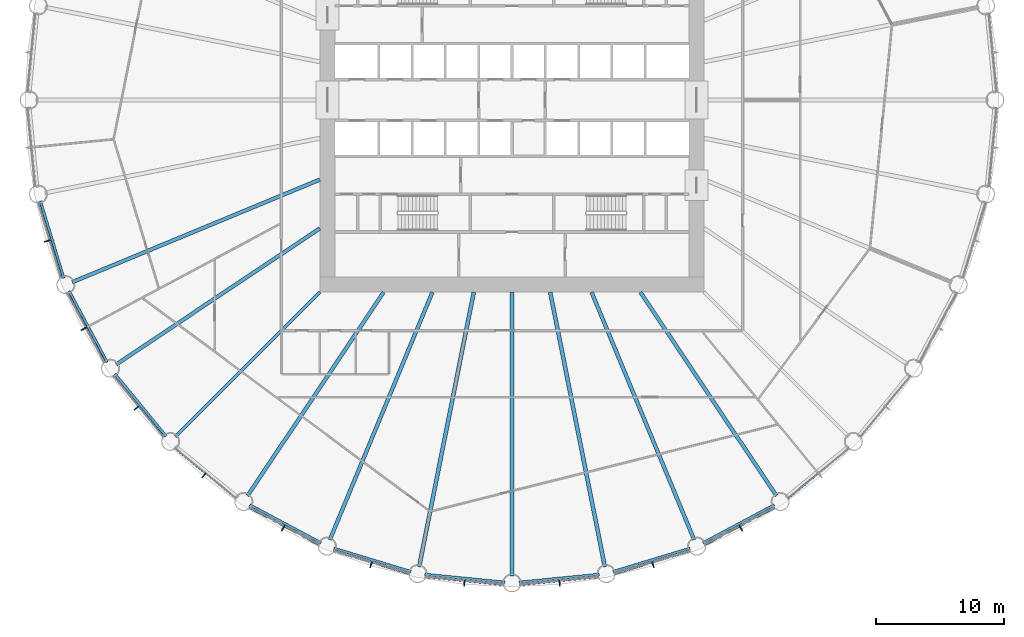
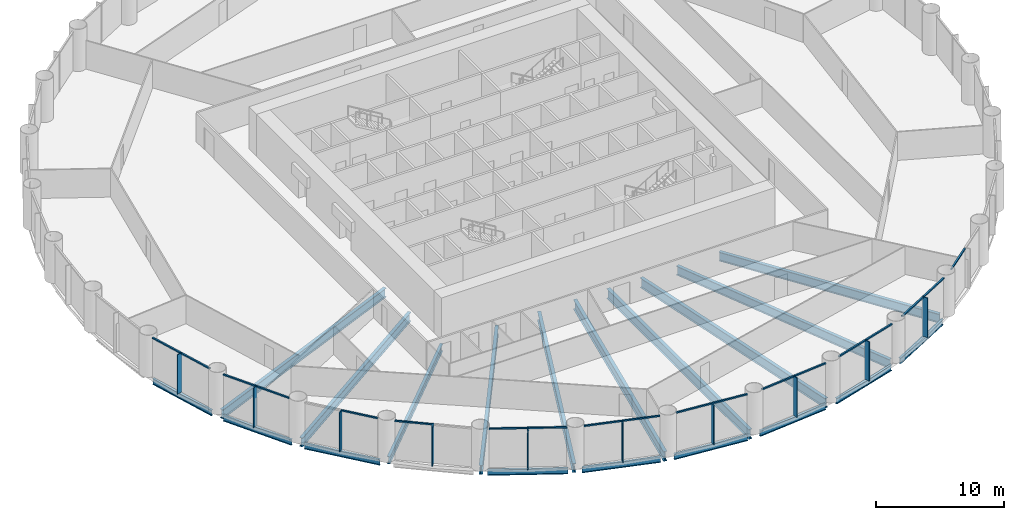
# One storey, part 2 of 15: 29 members, 19 beams, 11 elements without a shape of their own.
"""IFC4 building model written with IfcOpenShell, lengths in metres."""

import ifcopenshell
import ifcopenshell.guid

model = None  # the IFC model being written
_history = None  # IfcOwnerHistory: only IFC2X3 demands one
_inside = {}  # id of a spatial element -> (the spatial element, [elements in it])
_under = {}  # id of a project, library or spatial element -> (it, [spatial elements below it])
_declared = {}  # id of a project -> (the project, [libraries it declares])
_typed = {}  # id of a type object -> (the type object, [elements of that type])
_made_of = {}  # id of a material, layer set ... -> (it, [elements and type objects made of it])


def new_model(schema):
    """Start an empty IFC model of exactly this schema.

    Asked for "IFC4X3", IfcOpenShell would pick the latest addendum, in which some entities
    have other attributes; the version numbers below select the first issue.
    IFC2X3 requires an IfcOwnerHistory on every rooted entity: one is made here for all.
    """
    global model, _history
    if schema == "IFC4X3":
        model = ifcopenshell.file(schema_version=(4, 3, 0, 0))
    else:
        model = ifcopenshell.file(schema=schema)
    _inside.clear()
    _under.clear()
    _declared.clear()
    _typed.clear()
    _made_of.clear()
    _history = None
    if model.schema == "IFC2X3":
        org = make("IfcOrganization", Name="unknown")
        user = make(
            "IfcPersonAndOrganization",
            ThePerson=make("IfcPerson", FamilyName="unknown"),
            TheOrganization=org,
        )
        app = make(
            "IfcApplication",
            ApplicationDeveloper=org,
            Version="unknown",
            ApplicationFullName="unknown",
            ApplicationIdentifier="unknown",
        )
        _history = make(
            "IfcOwnerHistory",
            OwningUser=user,
            OwningApplication=app,
            ChangeAction="ADDED",
            CreationDate=0,
        )
    return model


def make(cls, **values):
    """One entity of the class cls with the attributes given. An attribute that is None is left unset."""
    return model.create_entity(
        cls, **{name: value for name, value in values.items() if value is not None}
    )


def rooted(cls, **values):
    """An entity with a GlobalId (a new one), such as an element, a storey or a relation."""
    return make(cls, GlobalId=ifcopenshell.guid.new(), OwnerHistory=_history, **values)


def si_unit(unit_type, name, prefix=None):
    """IfcSIUnit, for example si_unit("LENGTHUNIT", "METRE", prefix="MILLI")."""
    return make("IfcSIUnit", UnitType=unit_type, Prefix=prefix, Name=name)


def assignment(units):
    """IfcUnitAssignment: the units of a project."""
    return None if units is None else make("IfcUnitAssignment", Units=units)


def point(xyz):
    """IfcCartesianPoint."""
    return None if xyz is None else make("IfcCartesianPoint", Coordinates=xyz)


def direction(xyz):
    """IfcDirection."""
    return None if xyz is None else make("IfcDirection", DirectionRatios=xyz)


def frame(location, z_axis=None, x_axis=None):
    """IfcAxis2Placement3D, a coordinate frame: its origin and axes. An axis left out is left unset."""
    return make(
        "IfcAxis2Placement3D",
        Location=point(location),
        Axis=direction(z_axis),
        RefDirection=direction(x_axis),
    )


def frame_2d(location, x_axis=None):
    """IfcAxis2Placement2D, a coordinate frame in the plane: its origin and x axis."""
    return make(
        "IfcAxis2Placement2D", Location=point(location), RefDirection=direction(x_axis)
    )


def origin():
    """The frame at (0, 0, 0) with its axes left unset."""
    return frame((0.0, 0.0, 0.0))


def origin_2d():
    """The frame at (0, 0) in the plane with its x axis left unset."""
    return frame_2d((0.0, 0.0))


def place(relative_to, where):
    """IfcLocalPlacement: puts the frame where relative to a parent placement (None: the world)."""
    return make(
        "IfcLocalPlacement", PlacementRelTo=relative_to, RelativePlacement=where
    )


def context(
    kind, dimensions, precision=None, world=None, true_north=None, identifier=None
):
    """IfcGeometricRepresentationContext, for example the 3D "Model" context."""
    return make(
        "IfcGeometricRepresentationContext",
        ContextIdentifier=identifier,
        ContextType=kind,
        CoordinateSpaceDimension=dimensions,
        Precision=precision,
        WorldCoordinateSystem=world,
        TrueNorth=true_north,
    )


def subcontext(parent, identifier, kind, view, scale=None):
    """IfcGeometricRepresentationSubContext, for example "Body" below "Model"."""
    return make(
        "IfcGeometricRepresentationSubContext",
        ContextIdentifier=identifier,
        ContextType=kind,
        ParentContext=parent,
        TargetScale=scale,
        TargetView=view,
    )


def project(units=None, contexts=None):
    """IfcProject with its units and contexts."""
    return rooted(
        "IfcProject",
        Name="project",
        RepresentationContexts=contexts,
        UnitsInContext=assignment(units),
    )


def spatial(cls, under=None, at=None, **own):
    """A site, building, storey or space (cls), placed at a placement, below another one or the project."""
    s = rooted(cls, ObjectPlacement=at, **own)
    if under is not None:
        _under.setdefault(under.id(), (under, []))[1].append(s)
    return s


def profile(cls, at=None, kind="AREA", **sizes):
    """A parametric profile (cls). Its sizes go by their IFC names, for example OverallWidth=200.0."""
    return make(cls, ProfileType=kind, Position=at, **sizes)


def rectangle(**sizes):
    """IfcRectangleProfileDef."""
    return profile("IfcRectangleProfileDef", **sizes)


def i_section(**sizes):
    """IfcIShapeProfileDef."""
    return profile("IfcIShapeProfileDef", **sizes)


def extrude(swept, where, along, depth):
    """IfcExtrudedAreaSolid: the profile swept, set in the frame where, extruded along a direction by depth."""
    return make(
        "IfcExtrudedAreaSolid",
        SweptArea=swept,
        Position=where,
        ExtrudedDirection=direction(along),
        Depth=depth,
    )


def shape(context_of_items, identifier, shape_type, items):
    """IfcShapeRepresentation: the items that make up one representation, for example the "Body"."""
    return make(
        "IfcShapeRepresentation",
        ContextOfItems=context_of_items,
        RepresentationIdentifier=identifier,
        RepresentationType=shape_type,
        Items=items,
    )


def material(Name=None, Category=None):
    """IfcMaterial."""
    return make("IfcMaterial", Name=Name, Category=Category)


def material_profile(
    of_material, cross_section, Name=None, Category=None, Priority=None
):
    """IfcMaterialProfile: a cross section and its material."""
    return make(
        "IfcMaterialProfile",
        Name=Name,
        Material=of_material,
        Profile=cross_section,
        Priority=Priority,
        Category=Category,
    )


def profile_set(profiles, Name=None, composite=None):
    """IfcMaterialProfileSet."""
    return make(
        "IfcMaterialProfileSet",
        Name=Name,
        MaterialProfiles=profiles,
        CompositeProfile=composite,
    )


def made_of(thing, what):
    """Note that an element or type object is made of a material, layer set ...; save() writes the relation."""
    if what is not None:
        _made_of.setdefault(what.id(), (what, []))[1].append(thing)
    return thing


def type_object(cls, material=None, **own):
    """A type object (cls), such as IfcWallType, which elements share."""
    return made_of(rooted(cls, **own), material)


def element(
    cls,
    number,
    at=None,
    inside=None,
    cuts=None,
    type_object=None,
    material=None,
    context=None,
    identifier="Body",
    shape_type=None,
    held_by="IfcProductDefinitionShape",
    body=None,
    shapes=None,
    **own,
):
    """One element of the class cls, such as IfcWall. Its Tag is "e" and its number.

    at: its placement. inside: the storey or other place that contains it. cuts: it is an
    opening in that element (IfcRelVoidsElement). A single representation is given by context,
    identifier, shape_type and body (its items); several are given by shapes. held_by: the class
    of the entity that holds the representations. save() writes the other relations.
    """
    e = rooted(cls, Tag="e%d" % number, ObjectPlacement=at, **own)
    if body is not None:
        shapes = [shape(context, identifier, shape_type, body)]
    if shapes is not None:
        e.Representation = make(held_by, Representations=shapes)
    if inside is not None:
        _inside.setdefault(inside.id(), (inside, []))[1].append(e)
    if cuts is not None:
        rooted(
            "IfcRelVoidsElement", RelatingBuildingElement=cuts, RelatedOpeningElement=e
        )
    if type_object is not None:
        _typed.setdefault(type_object.id(), (type_object, []))[1].append(e)
    return made_of(e, material)


def aggregate(whole, parts):
    """IfcRelAggregates: a whole, such as a stair, and the parts it consists of."""
    return rooted("IfcRelAggregates", RelatingObject=whole, RelatedObjects=parts)


def save(model, path):
    """Write the relations noted so far, then the file.

    IfcRelAggregates (storeys below a building ...), IfcRelContainedInSpatialStructure (elements
    in a storey), IfcRelDefinesByType, IfcRelAssociatesMaterial and IfcRelDeclares: one each for
    every whole, place, type object, material and project.
    """
    for whole, parts in _under.values():
        aggregate(whole, parts)
    for where, things in _inside.values():
        rooted(
            "IfcRelContainedInSpatialStructure",
            RelatedElements=things,
            RelatingStructure=where,
        )
    for kind, things in _typed.values():
        rooted("IfcRelDefinesByType", RelatedObjects=things, RelatingType=kind)
    for what, things in _made_of.values():
        rooted("IfcRelAssociatesMaterial", RelatedObjects=things, RelatingMaterial=what)
    for by, libraries in _declared.values():
        rooted("IfcRelDeclares", RelatingContext=by, RelatedDefinitions=libraries)
    model.write(path)


model = new_model("IFC4")

# Units and contexts
model_context = context("Model", 3, precision=1e-05, world=origin(), true_north=direction((0.0, 1.0)))
body_context = subcontext(model_context, "Body", "Model", "MODEL_VIEW")
ifc_project = project(units=[si_unit("LENGTHUNIT", "METRE"), si_unit("AREAUNIT", "SQUARE_METRE"), si_unit("VOLUMEUNIT", "CUBIC_METRE"), si_unit("PLANEANGLEUNIT", "RADIAN"), si_unit("MASSUNIT", "GRAM", prefix="KILO")], contexts=[model_context])

# Site, building, storey
site_placement = place(None, origin())
site = spatial("IfcSite", under=ifc_project, at=site_placement, CompositionType="ELEMENT")
building_placement = place(site_placement, origin())
building = spatial("IfcBuilding", under=site, at=building_placement, Name="Corvane Civic Tower", CompositionType="ELEMENT")
storey_placement = place(building_placement, frame((0.0, 0.0, 45.0)))
storey = spatial("IfcBuildingStorey", under=building, at=storey_placement, Name="L09", CompositionType="ELEMENT", Elevation=45.0)

# Beams
ifc_material_1 = material(Name="Steel ASTM A992 Gr 50", Category="steel")
ifc_material_profile_1 = material_profile(ifc_material_1, i_section(OverallWidth=0.209228515625, OverallDepth=0.533447265625, WebThickness=0.01025390625, FlangeThickness=0.015625, at=origin_2d()), Name="W21X62")
ifc_profile_set_1 = profile_set([ifc_material_profile_1], Name="Steel ASTM A992 Gr 50")
beam_type_1 = type_object("IfcBeamType", Name="EDGE BEAM W21X62", PredefinedType="BEAM", material=ifc_profile_set_1)
for number, where, z_axis, x_axis, name in (
    (1, (20.4599609375, -31.605712890625, -0.566650390625), (-0.881916367906, -0.471405897311, 0.0), (0.471405897311, -0.881916367906, 0.0), "BM-L09-E14"),
    (2, (13.90087890625, -34.989990234375, -0.566650390625), (-0.956943740748, -0.290273452184, 0.0), (0.290273452184, -0.956943740748, 0.0), "BM-L09-E15"),
):
    element("IfcBeam", number, at=place(storey_placement, frame(where, z_axis=z_axis, x_axis=x_axis)), inside=storey, type_object=beam_type_1, Name=name, PredefinedType="BEAM", context=body_context, shape_type="SweptSolid", body=[
        extrude(i_section(OverallWidth=0.209228515625, OverallDepth=0.533447265625, WebThickness=0.01025390625, FlangeThickness=0.015625, at=origin_2d()), origin(), (0.0, 0.0, 1.0), 6.290283203125),
    ])
for number, where, z_axis, x_axis, name in (
    (3, (6.8076171875, -37.029541015625, -0.566650390625), (-0.995186682089, -0.097997284622, 0.0), (0.097997284622, -0.995186682089, 0.0), "BM-L09-E16"),
    (4, (-0.54736328125, -37.64599609375, -0.566650390625), (-0.995186682089, 0.097997284622, 0.0), (-0.097997284622, -0.995186682089, 0.0), "BM-L09-E17"),
):
    element("IfcBeam", number, at=place(storey_placement, frame(where, z_axis=z_axis, x_axis=x_axis)), inside=storey, type_object=beam_type_1, Name=name, PredefinedType="BEAM", context=body_context, shape_type="SweptSolid", body=[
        extrude(i_section(OverallWidth=0.209228515625, OverallDepth=0.533447265625, WebThickness=0.01025390625, FlangeThickness=0.015625, at=origin_2d()), origin(), (0.0, 0.0, 1.0), 6.29052734375),
    ])
for number, where, z_axis, x_axis, name in (
    (5, (-7.88134765625, -36.81591796875, -0.566650390625), (-0.956943740748, 0.290273452184, 0.0), (-0.290273452184, -0.956943740748, 0.0), "BM-L09-E18"),
    (6, (-14.912353515625, -34.571044921875, -0.566650390625), (-0.881916367906, 0.471405897311, 0.0), (-0.471405897311, -0.881916367906, 0.0), "BM-L09-E19"),
):
    element("IfcBeam", number, at=place(storey_placement, frame(where, z_axis=z_axis, x_axis=x_axis)), inside=storey, type_object=beam_type_1, Name=name, PredefinedType="BEAM", context=body_context, shape_type="SweptSolid", body=[
        extrude(i_section(OverallWidth=0.209228515625, OverallDepth=0.533447265625, WebThickness=0.01025390625, FlangeThickness=0.015625, at=origin_2d()), origin(), (0.0, 0.0, 1.0), 6.290283203125),
    ])
beam_1_placement = place(storey_placement, frame((-27.0068359375, -26.23291015625, -0.566650390625), z_axis=(-0.634386787141, 0.773015785286, 0.0), x_axis=(-0.773015785286, -0.634386787141, 0.0)))
element("IfcBeam", 7, at=beam_1_placement, inside=storey, type_object=beam_type_1, Name="BM-L09-E21", PredefinedType="BEAM", context=body_context, shape_type="SweptSolid", body=[
    extrude(i_section(OverallWidth=0.209228515625, OverallDepth=0.533447265625, WebThickness=0.01025390625, FlangeThickness=0.015625, at=origin_2d()), origin(), (0.0, 0.0, 1.0), 6.290771484375),
])
for number, where, z_axis, x_axis, name in (
    (8, (-31.605712890625, -20.4599609375, -0.566650390625), (-0.471405897311, 0.881916367906, 0.0), (-0.881916367906, -0.471405897311, 0.0), "BM-L09-E22"),
    (9, (-34.989990234375, -13.90087890625, -0.566650390625), (-0.290273452184, 0.956943740748, 0.0), (-0.956943740748, -0.290273452184, 0.0), "BM-L09-E23"),
):
    element("IfcBeam", number, at=place(storey_placement, frame(where, z_axis=z_axis, x_axis=x_axis)), inside=storey, type_object=beam_type_1, Name=name, PredefinedType="BEAM", context=body_context, shape_type="SweptSolid", body=[
        extrude(i_section(OverallWidth=0.209228515625, OverallDepth=0.533447265625, WebThickness=0.01025390625, FlangeThickness=0.015625, at=origin_2d()), origin(), (0.0, 0.0, 1.0), 6.290283203125),
    ])
ifc_material_2 = material(Name="Steel ASTM A992 Gr 50", Category="steel")
ifc_material_profile_2 = material_profile(ifc_material_2, i_section(OverallWidth=0.256591796875, OverallDepth=0.693359375, WebThickness=0.014404296875, FlangeThickness=0.023681640625, at=origin_2d()), Name="W27X114")
ifc_profile_set_2 = profile_set([ifc_material_profile_2], Name="Steel ASTM A992 Gr 50")
beam_type_2 = type_object("IfcBeamType", Name="FLOOR GIRDER W27X114", PredefinedType="BEAM", material=ifc_profile_set_2)
beam_2_placement = place(storey_placement, frame((-15.0, -15.0, -0.646728515625), z_axis=(-0.707106781187, -0.707106781187, 0.0), x_axis=(0.707106781187, -0.707106781187, 0.0)))
element("IfcBeam", 10, at=beam_2_placement, inside=storey, type_object=beam_type_2, Name="BM-L09-G21", PredefinedType="BEAM", context=body_context, shape_type="SweptSolid", body=[
    extrude(i_section(OverallWidth=0.256591796875, OverallDepth=0.693359375, WebThickness=0.014404296875, FlangeThickness=0.023681640625, at=origin_2d()), origin(), (0.0, 0.0, 1.0), 15.936767578125),
])
ifc_material_3 = material(Name="Steel ASTM A992 Gr 50", Category="steel")
ifc_material_profile_3 = material_profile(ifc_material_3, i_section(OverallWidth=0.2919921875, OverallDepth=0.8583984375, WebThickness=0.01708984375, FlangeThickness=0.031005859375, at=origin_2d()), Name="W33X169")
ifc_profile_set_3 = profile_set([ifc_material_profile_3], Name="Steel ASTM A992 Gr 50")
beam_type_3 = type_object("IfcBeamType", Name="FLOOR GIRDER W33X169", PredefinedType="BEAM", material=ifc_profile_set_3)
beam_3_placement = place(storey_placement, frame((10.022705078125, -15.0, -0.729248046875), z_axis=(0.555566681385, -0.831471985418, 0.0), x_axis=(0.831471985418, 0.555566681385, 0.0)))
element("IfcBeam", 11, at=beam_3_placement, inside=storey, type_object=beam_type_3, Name="BM-L09-G14", PredefinedType="BEAM", context=body_context, shape_type="SweptSolid", body=[
    extrude(i_section(OverallWidth=0.2919921875, OverallDepth=0.8583984375, WebThickness=0.01708984375, FlangeThickness=0.031005859375, at=origin_2d()), origin(), (0.0, 0.0, 1.0), 19.109619140625),
])
for number, where, z_axis, x_axis, name in (
    (12, (6.213134765625, -15.0, -0.729248046875), (0.382692360381, -0.923875834355, 0.0), (0.923875834355, 0.382692360381, 0.0), "BM-L09-G15"),
    (13, (-6.213134765625, -15.0, -0.729248046875), (-0.382692360381, -0.923875834355, 0.0), (0.923875834355, -0.382692360381, 0.0), "BM-L09-G19"),
):
    element("IfcBeam", number, at=place(storey_placement, frame(where, z_axis=z_axis, x_axis=x_axis)), inside=storey, type_object=beam_type_3, Name=name, PredefinedType="BEAM", context=body_context, shape_type="SweptSolid", body=[
        extrude(i_section(OverallWidth=0.2919921875, OverallDepth=0.8583984375, WebThickness=0.01708984375, FlangeThickness=0.031005859375, at=origin_2d()), origin(), (0.0, 0.0, 1.0), 20.9140625),
    ])
for number, where, z_axis, x_axis, name in (
    (14, (-10.022705078125, -15.0, -0.729248046875), (-0.555566681385, -0.831471985418, 0.0), (0.831471985418, -0.555566681385, 0.0), "BM-L09-G20"),
    (15, (-15.0, -10.022705078125, -0.729248046875), (-0.831471985418, -0.555566681385, 0.0), (0.555566681385, -0.831471985418, 0.0), "BM-L09-G22"),
):
    element("IfcBeam", number, at=place(storey_placement, frame(where, z_axis=z_axis, x_axis=x_axis)), inside=storey, type_object=beam_type_3, Name=name, PredefinedType="BEAM", context=body_context, shape_type="SweptSolid", body=[
        extrude(i_section(OverallWidth=0.2919921875, OverallDepth=0.8583984375, WebThickness=0.01708984375, FlangeThickness=0.031005859375, at=origin_2d()), origin(), (0.0, 0.0, 1.0), 19.109619140625),
    ])
beam_4_placement = place(storey_placement, frame((-15.0, -6.213134765625, -0.729248046875), z_axis=(-0.923875834355, -0.382692360381, 0.0), x_axis=(0.382692360381, -0.923875834355, 0.0)))
element("IfcBeam", 16, at=beam_4_placement, inside=storey, type_object=beam_type_3, Name="BM-L09-G23", PredefinedType="BEAM", context=body_context, shape_type="SweptSolid", body=[
    extrude(i_section(OverallWidth=0.2919921875, OverallDepth=0.8583984375, WebThickness=0.01708984375, FlangeThickness=0.031005859375, at=origin_2d()), origin(), (0.0, 0.0, 1.0), 20.9140625),
])
ifc_material_4 = material(Name="Steel ASTM A992 Gr 50", Category="steel")
ifc_material_profile_4 = material_profile(ifc_material_4, i_section(OverallWidth=0.307373046875, OverallDepth=0.927001953125, WebThickness=0.01953125, FlangeThickness=0.031982421875, at=origin_2d()), Name="W36X194")
ifc_profile_set_4 = profile_set([ifc_material_profile_4], Name="Steel ASTM A992 Gr 50")
beam_type_4 = type_object("IfcBeamType", Name="FLOOR GIRDER W36X194", PredefinedType="BEAM", material=ifc_profile_set_4)
beam_5_placement = place(storey_placement, frame((2.983642578125, -15.0, -0.763671875), z_axis=(0.195089219638, -0.980785499679, 0.0), x_axis=(0.980785499679, 0.195089219638, 0.0)))
element("IfcBeam", 17, at=beam_5_placement, inside=storey, type_object=beam_type_4, Name="BM-L09-G16", PredefinedType="BEAM", context=body_context, shape_type="SweptSolid", body=[
    extrude(i_section(OverallWidth=0.307373046875, OverallDepth=0.927001953125, WebThickness=0.01953125, FlangeThickness=0.031982421875, at=origin_2d()), origin(), (0.0, 0.0, 1.0), 21.856201171875),
])
beam_6_placement = place(storey_placement, frame((0.0, -15.0, -0.763671875), z_axis=(0.0, -1.0, 0.0), x_axis=(1.0, 0.0, 0.0)))
element("IfcBeam", 18, at=beam_6_placement, inside=storey, type_object=beam_type_4, Name="BM-L09-G17", PredefinedType="BEAM", context=body_context, shape_type="SweptSolid", body=[
    extrude(i_section(OverallWidth=0.307373046875, OverallDepth=0.927001953125, WebThickness=0.01953125, FlangeThickness=0.031982421875, at=origin_2d()), origin(), (0.0, 0.0, 1.0), 22.14990234375),
])
beam_7_placement = place(storey_placement, frame((-2.983642578125, -15.0, -0.763671875), z_axis=(-0.195089219638, -0.980785499679, 0.0), x_axis=(0.980785499679, -0.195089219638, 0.0)))
element("IfcBeam", 19, at=beam_7_placement, inside=storey, type_object=beam_type_4, Name="BM-L09-G18", PredefinedType="BEAM", context=body_context, shape_type="SweptSolid", body=[
    extrude(i_section(OverallWidth=0.307373046875, OverallDepth=0.927001953125, WebThickness=0.01953125, FlangeThickness=0.031982421875, at=origin_2d()), origin(), (0.0, 0.0, 1.0), 21.856201171875),
])

# Curtain wall, member
ifc_material_5 = material(Name="Anodised aluminium bronze", Category="aluminium")
curtain_wall_type = type_object("IfcCurtainWallType", Name="TOWER CW-T1 STICK CURTAIN WALL", PredefinedType="NOTDEFINED", material=ifc_material_5)
curtain_wall_1_placement = place(storey_placement, origin())
curtain_wall_1 = element("IfcCurtainWall", 20, at=curtain_wall_1_placement, inside=storey, type_object=curtain_wall_type, Name="Curtain wall CW-T1 L09 bay 13", PredefinedType="NOTDEFINED")
ifc_material_6 = material(Name="Anodised aluminium bronze", Category="aluminium")
ifc_material_profile_5 = material_profile(ifc_material_6, rectangle(XDim=0.139892578125, YDim=0.1201171875, at=origin_2d()), Name="TOWER CW-T1 TRANSOM 140x120")
ifc_profile_set_5 = profile_set([ifc_material_profile_5], Name="Anodised aluminium bronze")
member_type_1 = type_object("IfcMemberType", Name="TOWER CW-T1 TRANSOM 140x120", PredefinedType="USERDEFINED", material=ifc_profile_set_5)
member_1_placement = place(storey_placement, frame((23.88427734375, -29.166015625, 3.68994140625), z_axis=(-0.773041738279, -0.634355161466, 0.0), x_axis=(0.634355161466, -0.773041738279, 0.0)))
member_1 = element("IfcMember", 21, at=member_1_placement, type_object=member_type_1, Name="Transom CW-T1 L09 13.2", ObjectType="TRANSOM", PredefinedType="USERDEFINED", context=body_context, shape_type="SweptSolid", body=[
    extrude(rectangle(XDim=0.139892578125, YDim=0.1201171875, at=origin_2d()), origin(), (0.0, 0.0, 1.0), 3.008544921875),
])
aggregate(curtain_wall_1, [member_1])

# Curtain wall, members
curtain_wall_2_placement = place(storey_placement, origin())
curtain_wall_2 = element("IfcCurtainWall", 22, at=curtain_wall_2_placement, inside=storey, type_object=curtain_wall_type, Name="Curtain wall CW-T1 L09 bay 14", PredefinedType="NOTDEFINED")
member_2_placement = place(storey_placement, frame((20.459228515625, -31.809326171875, 3.68994140625), z_axis=(-0.881923525532, -0.471392506424, 0.0), x_axis=(0.471392506424, -0.881923525532, 0.0)))
member_2 = element("IfcMember", 23, at=member_2_placement, type_object=member_type_1, Name="Transom CW-T1 L09 14.1", ObjectType="TRANSOM", PredefinedType="USERDEFINED", context=body_context, shape_type="SweptSolid", body=[
    extrude(rectangle(XDim=0.139892578125, YDim=0.1201171875, at=origin_2d()), origin(), (0.0, 0.0, 1.0), 3.008544921875),
])
member_3_placement = place(storey_placement, frame((17.7353515625, -33.26513671875, 3.68994140625), z_axis=(-0.881923525532, -0.471392506424, 0.0), x_axis=(0.471392506424, -0.881923525532, 0.0)))
member_3 = element("IfcMember", 24, at=member_3_placement, type_object=member_type_1, Name="Transom CW-T1 L09 14.2", ObjectType="TRANSOM", PredefinedType="USERDEFINED", context=body_context, shape_type="SweptSolid", body=[
    extrude(rectangle(XDim=0.139892578125, YDim=0.1201171875, at=origin_2d()), origin(), (0.0, 0.0, 1.0), 3.008544921875),
])

curtain_wall_3_placement = place(storey_placement, origin())
curtain_wall_3 = element("IfcCurtainWall", 25, at=curtain_wall_3_placement, inside=storey, type_object=curtain_wall_type, Name="Curtain wall CW-T1 L09 bay 15", PredefinedType="NOTDEFINED")
member_4_placement = place(storey_placement, frame((13.8603515625, -35.189453125, 3.68994140625), z_axis=(-0.956941780555, -0.290279914268, 0.0), x_axis=(0.290279914268, -0.956941780555, 0.0)))
member_4 = element("IfcMember", 26, at=member_4_placement, type_object=member_type_1, Name="Transom CW-T1 L09 15.1", ObjectType="TRANSOM", PredefinedType="USERDEFINED", context=body_context, shape_type="SweptSolid", body=[
    extrude(rectangle(XDim=0.139892578125, YDim=0.1201171875, at=origin_2d()), origin(), (0.0, 0.0, 1.0), 3.008544921875),
])
member_5_placement = place(storey_placement, frame((10.90478515625, -36.0859375, 3.68994140625), z_axis=(-0.956941780555, -0.290279914268, 0.0), x_axis=(0.290279914268, -0.956941780555, 0.0)))
member_5 = element("IfcMember", 27, at=member_5_placement, type_object=member_type_1, Name="Transom CW-T1 L09 15.2", ObjectType="TRANSOM", PredefinedType="USERDEFINED", context=body_context, shape_type="SweptSolid", body=[
    extrude(rectangle(XDim=0.139892578125, YDim=0.1201171875, at=origin_2d()), origin(), (0.0, 0.0, 1.0), 3.008544921875),
])

curtain_wall_4_placement = place(storey_placement, origin())
curtain_wall_4 = element("IfcCurtainWall", 28, at=curtain_wall_4_placement, inside=storey, type_object=curtain_wall_type, Name="Curtain wall CW-T1 L09 bay 16", PredefinedType="NOTDEFINED")
member_6_placement = place(storey_placement, frame((6.72900390625, -37.21728515625, 3.68994140625), z_axis=(-0.995191836722, -0.097944923917, 0.0), x_axis=(0.097944923917, -0.995191836722, 0.0)))
member_6 = element("IfcMember", 29, at=member_6_placement, type_object=member_type_1, Name="Transom CW-T1 L09 16.1", ObjectType="TRANSOM", PredefinedType="USERDEFINED", context=body_context, shape_type="SweptSolid", body=[
    extrude(rectangle(XDim=0.139892578125, YDim=0.1201171875, at=origin_2d()), origin(), (0.0, 0.0, 1.0), 3.008544921875),
])
member_7_placement = place(storey_placement, frame((3.6552734375, -37.52001953125, 3.68994140625), z_axis=(-0.995191836722, -0.097944923917, 0.0), x_axis=(0.097944923917, -0.995191836722, 0.0)))
member_7 = element("IfcMember", 30, at=member_7_placement, type_object=member_type_1, Name="Transom CW-T1 L09 16.2", ObjectType="TRANSOM", PredefinedType="USERDEFINED", context=body_context, shape_type="SweptSolid", body=[
    extrude(rectangle(XDim=0.139892578125, YDim=0.1201171875, at=origin_2d()), origin(), (0.0, 0.0, 1.0), 3.008544921875),
])

curtain_wall_5_placement = place(storey_placement, origin())
curtain_wall_5 = element("IfcCurtainWall", 31, at=curtain_wall_5_placement, inside=storey, type_object=curtain_wall_type, Name="Curtain wall CW-T1 L09 bay 17", PredefinedType="NOTDEFINED")
member_8_placement = place(storey_placement, frame((-0.6611328125, -37.814697265625, 3.68994140625), z_axis=(-0.995191836722, 0.097944923917, 0.0), x_axis=(-0.097944923917, -0.995191836722, 0.0)))
member_8 = element("IfcMember", 32, at=member_8_placement, type_object=member_type_1, Name="Transom CW-T1 L09 17.1", ObjectType="TRANSOM", PredefinedType="USERDEFINED", context=body_context, shape_type="SweptSolid", body=[
    extrude(rectangle(XDim=0.139892578125, YDim=0.1201171875, at=origin_2d()), origin(), (0.0, 0.0, 1.0), 3.008544921875),
])
member_9_placement = place(storey_placement, frame((-3.73486328125, -37.511962890625, 3.68994140625), z_axis=(-0.995191836722, 0.097944923917, 0.0), x_axis=(-0.097944923917, -0.995191836722, 0.0)))
member_9 = element("IfcMember", 33, at=member_9_placement, type_object=member_type_1, Name="Transom CW-T1 L09 17.2", ObjectType="TRANSOM", PredefinedType="USERDEFINED", context=body_context, shape_type="SweptSolid", body=[
    extrude(rectangle(XDim=0.139892578125, YDim=0.1201171875, at=origin_2d()), origin(), (0.0, 0.0, 1.0), 3.008544921875),
])

curtain_wall_6_placement = place(storey_placement, origin())
curtain_wall_6 = element("IfcCurtainWall", 34, at=curtain_wall_6_placement, inside=storey, type_object=curtain_wall_type, Name="Curtain wall CW-T1 L09 bay 18", PredefinedType="NOTDEFINED")
member_10_placement = place(storey_placement, frame((-8.02587890625, -36.959228515625, 3.68994140625), z_axis=(-0.956941780555, 0.290279914268, 0.0), x_axis=(-0.290279914268, -0.956941780555, 0.0)))
member_10 = element("IfcMember", 35, at=member_10_placement, type_object=member_type_1, Name="Transom CW-T1 L09 18.1", ObjectType="TRANSOM", PredefinedType="USERDEFINED", context=body_context, shape_type="SweptSolid", body=[
    extrude(rectangle(XDim=0.139892578125, YDim=0.1201171875, at=origin_2d()), origin(), (0.0, 0.0, 1.0), 3.008544921875),
])
member_11_placement = place(storey_placement, frame((-10.9814453125, -36.062744140625, 3.68994140625), z_axis=(-0.956941780555, 0.290279914268, 0.0), x_axis=(-0.290279914268, -0.956941780555, 0.0)))
member_11 = element("IfcMember", 36, at=member_11_placement, type_object=member_type_1, Name="Transom CW-T1 L09 18.2", ObjectType="TRANSOM", PredefinedType="USERDEFINED", context=body_context, shape_type="SweptSolid", body=[
    extrude(rectangle(XDim=0.139892578125, YDim=0.1201171875, at=origin_2d()), origin(), (0.0, 0.0, 1.0), 3.008544921875),
])

curtain_wall_7_placement = place(storey_placement, origin())
curtain_wall_7 = element("IfcCurtainWall", 37, at=curtain_wall_7_placement, inside=storey, type_object=curtain_wall_type, Name="Curtain wall CW-T1 L09 bay 19", PredefinedType="NOTDEFINED")
member_12_placement = place(storey_placement, frame((-15.08203125, -34.683349609375, 3.68994140625), z_axis=(-0.881923525532, 0.471392506424, 0.0), x_axis=(-0.471392506424, -0.881923525532, 0.0)))
member_12 = element("IfcMember", 38, at=member_12_placement, type_object=member_type_1, Name="Transom CW-T1 L09 19.1", ObjectType="TRANSOM", PredefinedType="USERDEFINED", context=body_context, shape_type="SweptSolid", body=[
    extrude(rectangle(XDim=0.139892578125, YDim=0.1201171875, at=origin_2d()), origin(), (0.0, 0.0, 1.0), 3.008544921875),
])
member_13_placement = place(storey_placement, frame((-17.805908203125, -33.2275390625, 3.68994140625), z_axis=(-0.881923525532, 0.471392506424, 0.0), x_axis=(-0.471392506424, -0.881923525532, 0.0)))
member_13 = element("IfcMember", 39, at=member_13_placement, type_object=member_type_1, Name="Transom CW-T1 L09 19.2", ObjectType="TRANSOM", PredefinedType="USERDEFINED", context=body_context, shape_type="SweptSolid", body=[
    extrude(rectangle(XDim=0.139892578125, YDim=0.1201171875, at=origin_2d()), origin(), (0.0, 0.0, 1.0), 3.008544921875),
])

# Curtain wall, member
curtain_wall_8_placement = place(storey_placement, origin())
curtain_wall_8 = element("IfcCurtainWall", 40, at=curtain_wall_8_placement, inside=storey, type_object=curtain_wall_type, Name="Curtain wall CW-T1 L09 bay 20", PredefinedType="NOTDEFINED")
member_14_placement = place(storey_placement, frame((-23.946044921875, -29.115234375, 3.68994140625), z_axis=(-0.773001943873, 0.634403652865, 0.0), x_axis=(-0.634403652865, -0.773001943873, 0.0)))
member_14 = element("IfcMember", 41, at=member_14_placement, type_object=member_type_1, Name="Transom CW-T1 L09 20.2", ObjectType="TRANSOM", PredefinedType="USERDEFINED", context=body_context, shape_type="SweptSolid", body=[
    extrude(rectangle(XDim=0.139892578125, YDim=0.1201171875, at=origin_2d()), origin(), (0.0, 0.0, 1.0), 3.008544921875),
])

curtain_wall_9_placement = place(storey_placement, origin())
curtain_wall_9 = element("IfcCurtainWall", 42, at=curtain_wall_9_placement, inside=storey, type_object=curtain_wall_type, Name="Curtain wall CW-T1 L09 bay 21", PredefinedType="NOTDEFINED")
member_15_placement = place(storey_placement, frame((-27.20654296875, -26.271728515625, 3.68994140625), z_axis=(-0.634403652865, 0.773001943873, 0.0), x_axis=(-0.773001943873, -0.634403652865, 0.0)))
member_15 = element("IfcMember", 43, at=member_15_placement, type_object=member_type_1, Name="Transom CW-T1 L09 21.1", ObjectType="TRANSOM", PredefinedType="USERDEFINED", context=body_context, shape_type="SweptSolid", body=[
    extrude(rectangle(XDim=0.139892578125, YDim=0.1201171875, at=origin_2d()), origin(), (0.0, 0.0, 1.0), 3.008544921875),
])

# Curtain wall, members
curtain_wall_10_placement = place(storey_placement, origin())
curtain_wall_10 = element("IfcCurtainWall", 44, at=curtain_wall_10_placement, inside=storey, type_object=curtain_wall_type, Name="Curtain wall CW-T1 L09 bay 22", PredefinedType="NOTDEFINED")
member_16_placement = place(storey_placement, frame((-31.809326171875, -20.459228515625, 3.68994140625), z_axis=(-0.471392506424, 0.881923525532, 0.0), x_axis=(-0.881923525532, -0.471392506424, 0.0)))
member_16 = element("IfcMember", 45, at=member_16_placement, type_object=member_type_1, Name="Transom CW-T1 L09 22.1", ObjectType="TRANSOM", PredefinedType="USERDEFINED", context=body_context, shape_type="SweptSolid", body=[
    extrude(rectangle(XDim=0.139892578125, YDim=0.1201171875, at=origin_2d()), origin(), (0.0, 0.0, 1.0), 3.008544921875),
])
member_17_placement = place(storey_placement, frame((-33.26513671875, -17.7353515625, 3.68994140625), z_axis=(-0.471392506424, 0.881923525532, 0.0), x_axis=(-0.881923525532, -0.471392506424, 0.0)))
member_17 = element("IfcMember", 46, at=member_17_placement, type_object=member_type_1, Name="Transom CW-T1 L09 22.2", ObjectType="TRANSOM", PredefinedType="USERDEFINED", context=body_context, shape_type="SweptSolid", body=[
    extrude(rectangle(XDim=0.139892578125, YDim=0.1201171875, at=origin_2d()), origin(), (0.0, 0.0, 1.0), 3.008544921875),
])

curtain_wall_11_placement = place(storey_placement, origin())
curtain_wall_11 = element("IfcCurtainWall", 47, at=curtain_wall_11_placement, inside=storey, type_object=curtain_wall_type, Name="Curtain wall CW-T1 L09 bay 23", PredefinedType="NOTDEFINED")
member_18_placement = place(storey_placement, frame((-35.189453125, -13.8603515625, 3.68994140625), z_axis=(-0.290279914268, 0.956941780555, 0.0), x_axis=(-0.956941780555, -0.290279914268, 0.0)))
member_18 = element("IfcMember", 48, at=member_18_placement, type_object=member_type_1, Name="Transom CW-T1 L09 23.1", ObjectType="TRANSOM", PredefinedType="USERDEFINED", context=body_context, shape_type="SweptSolid", body=[
    extrude(rectangle(XDim=0.139892578125, YDim=0.1201171875, at=origin_2d()), origin(), (0.0, 0.0, 1.0), 3.008544921875),
])
member_19_placement = place(storey_placement, frame((-36.0859375, -10.90478515625, 3.68994140625), z_axis=(-0.290279914268, 0.956941780555, 0.0), x_axis=(-0.956941780555, -0.290279914268, 0.0)))
member_19 = element("IfcMember", 49, at=member_19_placement, type_object=member_type_1, Name="Transom CW-T1 L09 23.2", ObjectType="TRANSOM", PredefinedType="USERDEFINED", context=body_context, shape_type="SweptSolid", body=[
    extrude(rectangle(XDim=0.139892578125, YDim=0.1201171875, at=origin_2d()), origin(), (0.0, 0.0, 1.0), 3.008544921875),
])

# Member
ifc_material_7 = material(Name="Anodised aluminium bronze", Category="aluminium")
ifc_material_profile_6 = material_profile(ifc_material_7, rectangle(XDim=0.080078125, YDim=0.5, at=origin_2d()), Name="TOWER FIN MULLION 80x500 BRONZE")
ifc_profile_set_6 = profile_set([ifc_material_profile_6], Name="Anodised aluminium bronze")
member_type_2 = type_object("IfcMemberType", Name="TOWER FIN MULLION 80x500 BRONZE", PredefinedType="MULLION", material=ifc_profile_set_6)
member_20_placement = place(storey_placement, frame((17.86474609375, -33.422607421875, 0.0), z_axis=(0.0, 0.0, 1.0), x_axis=(-0.881917528864, -0.471403725359, 0.0)))
member_20 = element("IfcMember", 50, at=member_20_placement, type_object=member_type_2, Name="Fin mullion 14 L09", PredefinedType="MULLION", context=body_context, shape_type="SweptSolid", body=[
    extrude(rectangle(XDim=0.080078125, YDim=0.5, at=origin_2d()), origin(), (0.0, 0.0, 1.0), 3.75),
])

aggregate(curtain_wall_2, [member_20, member_2, member_3])

member_21_placement = place(storey_placement, frame((11.001220703125, -36.265625, 0.0), z_axis=(0.0, 0.0, 1.0), x_axis=(-0.956942240606, -0.290278397654, 0.0)))
member_21 = element("IfcMember", 51, at=member_21_placement, type_object=member_type_2, Name="Fin mullion 15 L09", PredefinedType="MULLION", context=body_context, shape_type="SweptSolid", body=[
    extrude(rectangle(XDim=0.080078125, YDim=0.5, at=origin_2d()), origin(), (0.0, 0.0, 1.0), 3.75),
])

aggregate(curtain_wall_3, [member_21, member_4, member_5])

member_22_placement = place(storey_placement, frame((3.714599609375, -37.715087890625, 0.0), z_axis=(0.0, 0.0, 1.0), x_axis=(-0.995185800248, -0.098006239521, 0.0)))
member_22 = element("IfcMember", 52, at=member_22_placement, type_object=member_type_2, Name="Fin mullion 16 L09", PredefinedType="MULLION", context=body_context, shape_type="SweptSolid", body=[
    extrude(rectangle(XDim=0.080078125, YDim=0.5, at=origin_2d()), origin(), (0.0, 0.0, 1.0), 3.75),
])

aggregate(curtain_wall_4, [member_22, member_6, member_7])

member_23_placement = place(storey_placement, frame((-3.714599609375, -37.715087890625, 0.0), z_axis=(0.0, 0.0, 1.0), x_axis=(-0.995185800248, 0.098006239521, 0.0)))
member_23 = element("IfcMember", 53, at=member_23_placement, type_object=member_type_2, Name="Fin mullion 17 L09", PredefinedType="MULLION", context=body_context, shape_type="SweptSolid", body=[
    extrude(rectangle(XDim=0.080078125, YDim=0.5, at=origin_2d()), origin(), (0.0, 0.0, 1.0), 3.75),
])

aggregate(curtain_wall_5, [member_23, member_8, member_9])

member_24_placement = place(storey_placement, frame((-11.001220703125, -36.265625, 0.0), z_axis=(0.0, 0.0, 1.0), x_axis=(-0.956942240606, 0.290278397654, 0.0)))
member_24 = element("IfcMember", 54, at=member_24_placement, type_object=member_type_2, Name="Fin mullion 18 L09", PredefinedType="MULLION", context=body_context, shape_type="SweptSolid", body=[
    extrude(rectangle(XDim=0.080078125, YDim=0.5, at=origin_2d()), origin(), (0.0, 0.0, 1.0), 3.75),
])

aggregate(curtain_wall_6, [member_24, member_10, member_11])

member_25_placement = place(storey_placement, frame((-17.86474609375, -33.422607421875, 0.0), z_axis=(0.0, 0.0, 1.0), x_axis=(-0.881917528864, 0.471403725359, 0.0)))
member_25 = element("IfcMember", 55, at=member_25_placement, type_object=member_type_2, Name="Fin mullion 19 L09", PredefinedType="MULLION", context=body_context, shape_type="SweptSolid", body=[
    extrude(rectangle(XDim=0.080078125, YDim=0.5, at=origin_2d()), origin(), (0.0, 0.0, 1.0), 3.75),
])

aggregate(curtain_wall_7, [member_25, member_12, member_13])

member_26_placement = place(storey_placement, frame((-24.0419921875, -29.295166015625, 0.0), z_axis=(0.0, 0.0, 1.0), x_axis=(-0.773007224463, 0.634397218569, 0.0)))
member_26 = element("IfcMember", 56, at=member_26_placement, type_object=member_type_2, Name="Fin mullion 20 L09", PredefinedType="MULLION", context=body_context, shape_type="SweptSolid", body=[
    extrude(rectangle(XDim=0.080078125, YDim=0.5, at=origin_2d()), origin(), (0.0, 0.0, 1.0), 3.75),
])

aggregate(curtain_wall_8, [member_26, member_14])

member_27_placement = place(storey_placement, frame((-29.295166015625, -24.0419921875, 0.0), z_axis=(0.0, 0.0, 1.0), x_axis=(-0.634397218569, 0.773007224463, 0.0)))
member_27 = element("IfcMember", 57, at=member_27_placement, type_object=member_type_2, Name="Fin mullion 21 L09", PredefinedType="MULLION", context=body_context, shape_type="SweptSolid", body=[
    extrude(rectangle(XDim=0.080078125, YDim=0.5, at=origin_2d()), origin(), (0.0, 0.0, 1.0), 3.75),
])

aggregate(curtain_wall_9, [member_27, member_15])

member_28_placement = place(storey_placement, frame((-33.422607421875, -17.86474609375, 0.0), z_axis=(0.0, 0.0, 1.0), x_axis=(-0.471403725359, 0.881917528864, 0.0)))
member_28 = element("IfcMember", 58, at=member_28_placement, type_object=member_type_2, Name="Fin mullion 22 L09", PredefinedType="MULLION", context=body_context, shape_type="SweptSolid", body=[
    extrude(rectangle(XDim=0.080078125, YDim=0.5, at=origin_2d()), origin(), (0.0, 0.0, 1.0), 3.75),
])

aggregate(curtain_wall_10, [member_28, member_16, member_17])

member_29_placement = place(storey_placement, frame((-36.265625, -11.001220703125, 0.0), z_axis=(0.0, 0.0, 1.0), x_axis=(-0.290278397654, 0.956942240606, 0.0)))
member_29 = element("IfcMember", 59, at=member_29_placement, type_object=member_type_2, Name="Fin mullion 23 L09", PredefinedType="MULLION", context=body_context, shape_type="SweptSolid", body=[
    extrude(rectangle(XDim=0.080078125, YDim=0.5, at=origin_2d()), origin(), (0.0, 0.0, 1.0), 3.75),
])

aggregate(curtain_wall_11, [member_29, member_18, member_19])

save(model, "model.ifc")
